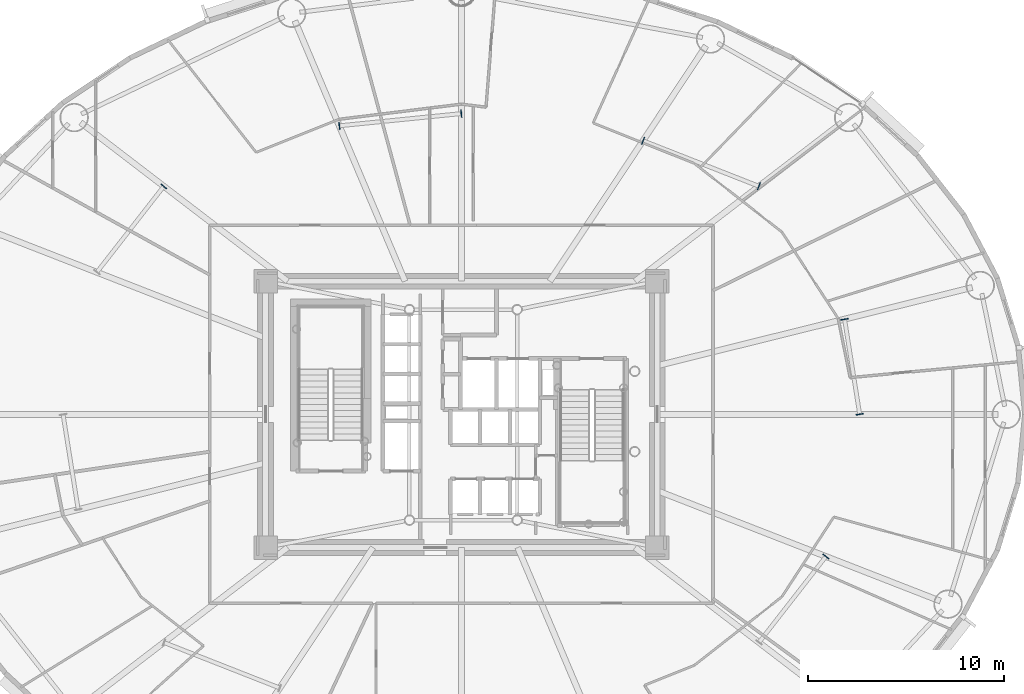
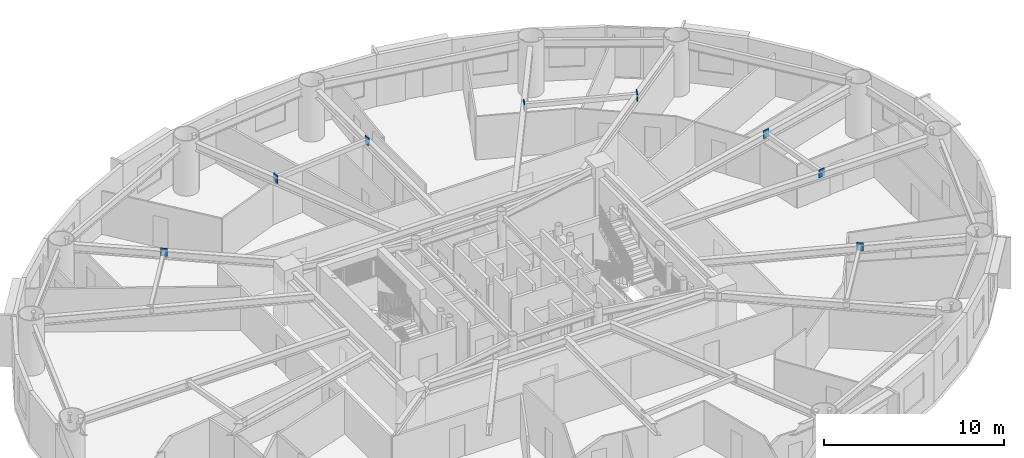
# One storey, part 10 of 21: 8 plates.
"""IFC4 building model written with IfcOpenShell, lengths in metres."""

from ifc_helpers import new_model, si_unit, direction, frame, origin, origin_2d, place, context, subcontext, project, spatial, rectangle, extrude, source, transform, mapped, material, layer, layer_set, type_object, element, save


model = new_model("IFC4")

# Units and contexts
model_context = context("Model", 3, precision=1e-05, world=origin(), true_north=direction((0.0, 1.0)))
body_context = subcontext(model_context, "Body", "Model", "MODEL_VIEW")
ifc_project = project(units=[si_unit("LENGTHUNIT", "METRE"), si_unit("AREAUNIT", "SQUARE_METRE"), si_unit("VOLUMEUNIT", "CUBIC_METRE"), si_unit("PLANEANGLEUNIT", "RADIAN"), si_unit("MASSUNIT", "GRAM", prefix="KILO")], contexts=[model_context])

# Site, building, storey
site_placement = place(None, origin())
site = spatial("IfcSite", under=ifc_project, at=site_placement, CompositionType="ELEMENT")
building_placement = place(site_placement, origin())
building = spatial("IfcBuilding", under=site, at=building_placement, Name="Linh Dai School and Residence Tower", CompositionType="ELEMENT")
storey_placement = place(building_placement, frame((0.0, 0.0, 134.699951171875)))
storey = spatial("IfcBuildingStorey", under=building, at=storey_placement, Name="L32", CompositionType="ELEMENT", Elevation=134.699951171875)

# Plates
ifc_material = material(Name="Structural Steel S355JR", Category="steel")
ifc_layer = layer(ifc_material, 0.0400390625)
ifc_layer_set = layer_set([ifc_layer], Name="Structural Steel S355JR")
plate_type = type_object("IfcPlateType", Name="PLT-GP1", PredefinedType="USERDEFINED", material=ifc_layer_set)
shared_shape = source(origin(), body_context, "Body", "SweptSolid", [
    extrude(rectangle(XDim=0.0400390625, YDim=0.3798828125, at=origin_2d()), origin(), (0.0, 0.0, 1.0), 0.5400390625),
])
for number, where, z_axis, x_axis, name in (
    (1, (56.337646484375, 27.0048828125, 3.080078125), (0.0, 0.0, 1.0), (-0.157025103807, 0.987594611556, 0.0), "L32 Secondary Beam End Plate 01A"),
    (2, (55.56640625, 31.85546875, 3.080078125), (0.0, 0.0, 1.0), (-0.157025103807, 0.987594611556, 0.0), "L32 Secondary Beam End Plate 01B"),
    (3, (51.189453125, 38.64794921875, 3.080078125), (0.0, 0.0, 1.0), (-0.930752465806, 0.3656498973, 0.0), "L32 Secondary Beam End Plate 02A"),
    (4, (45.279296875, 40.969970703125, 3.080078125), (0.0, 0.0, 1.0), (-0.930752465806, 0.3656498973, 0.0), "L32 Secondary Beam End Plate 02B"),
    (5, (35.9951171875, 42.357421875, 3.080078125), (0.0, 0.0, 1.0), (-0.995041739642, -0.09945821419, 0.0), "L32 Secondary Beam End Plate 03A"),
    (6, (29.7705078125, 41.7353515625, 3.080078125), (0.0, 0.0, 1.0), (-0.995041739642, -0.09945821419, 0.0), "L32 Secondary Beam End Plate 03B"),
    (7, (20.802734375, 38.64208984375, 3.080078125), (0.0, 0.0, 1.0), (-0.614362913717, -0.789023580287, 0.0), "L32 Secondary Beam End Plate 04A"),
    (8, (54.609375, 19.739990234375, 3.080078125), (0.0, 0.0, 1.0), (0.614362913717, 0.789023580287, 0.0), "L32 Secondary Beam End Plate 08B"),
):
    element("IfcPlate", number, at=place(storey_placement, frame(where, z_axis=z_axis, x_axis=x_axis)), inside=storey, type_object=plate_type, Name=name, ObjectType="GUSSET PLATE", PredefinedType="USERDEFINED", context=body_context, shape_type="MappedRepresentation", body=[
        mapped(shared_shape, transform((0.0, 0.0, 0.0), x_axis=(1.0, 0.0, 0.0), y_axis=(0.0, 1.0, 0.0), z_axis=(0.0, 0.0, 1.0), scale=1.0)),
    ])

save(model, "model.ifc")
